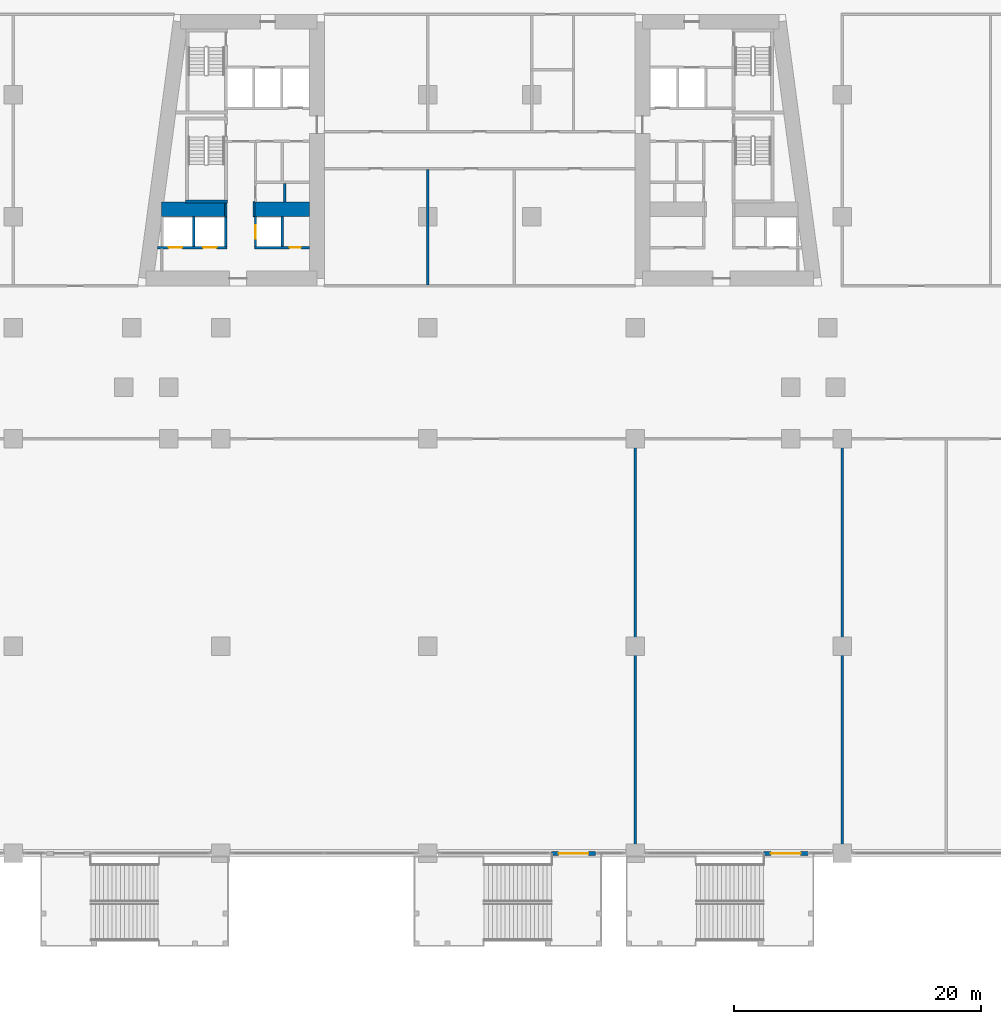
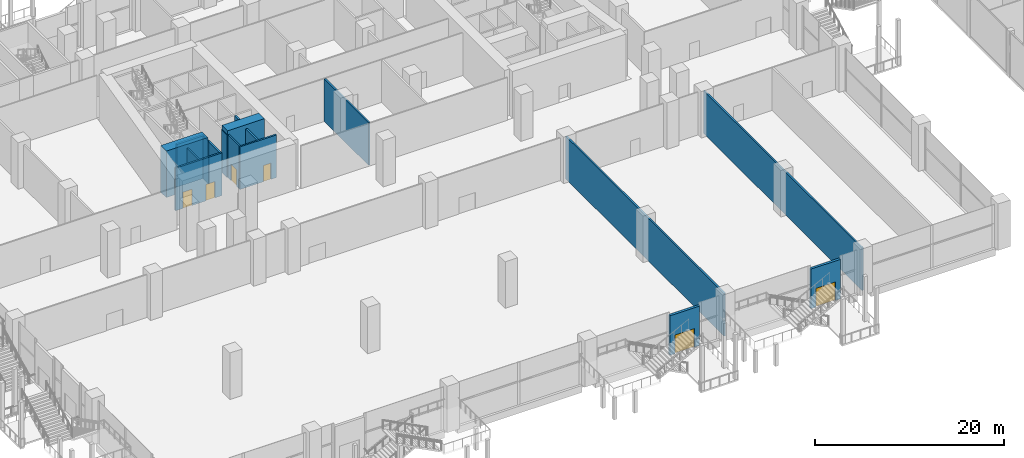
# One storey, part 23 of 49: 17 walls, 6 doors, 6 openings.
"""IFC4 building model written with IfcOpenShell, lengths in metres."""

from ifc_helpers import new_model, si_unit, direction, frame, frame_2d, origin, place, context, subcontext, project, spatial, rectangle, extrude, material, layer, layer_set, type_object, element, fill, save


model = new_model("IFC4")

# Units and contexts
model_context = context("Model", 3, precision=1e-05, world=origin(), true_north=direction((0.0, 1.0)))
body_context = subcontext(model_context, "Body", "Model", "MODEL_VIEW")
ifc_project = project(units=[si_unit("LENGTHUNIT", "METRE"), si_unit("AREAUNIT", "SQUARE_METRE"), si_unit("VOLUMEUNIT", "CUBIC_METRE"), si_unit("PLANEANGLEUNIT", "RADIAN"), si_unit("MASSUNIT", "GRAM", prefix="KILO")], contexts=[model_context])

# Site, building, storey
site_placement = place(None, origin())
site = spatial("IfcSite", under=ifc_project, at=site_placement, CompositionType="ELEMENT")
building_placement = place(site_placement, origin())
building = spatial("IfcBuilding", under=site, at=building_placement, Name="Candeia Pilgrim Tower and Theatre", CompositionType="ELEMENT")
storey_placement = place(building_placement, frame((0.0, 0.0, 17.0)))
storey = spatial("IfcBuildingStorey", under=building, at=storey_placement, Name="L02", CompositionType="ELEMENT", Elevation=17.0)

# Walls
ifc_material_1 = material(Name="Concrete C80/95", Category="concrete")
ifc_layer_1 = layer(ifc_material_1, 1.199951171875)
ifc_layer_set_1 = layer_set([ifc_layer_1], Name="Core wall 1200 C80/95")
wall_type_1 = type_object("IfcWallType", Name="Core wall 1200 C80/95", PredefinedType="SHEAR", material=ifc_layer_set_1)
wall_1_placement = place(storey_placement, frame((87.623046875, 116.60009765625, 0.0), z_axis=(0.0, 0.0, 1.0), x_axis=(1.0, 0.0, 0.0)))
element("IfcWall", 1, at=wall_1_placement, inside=storey, type_object=wall_type_1, Name="Core wall W5", PredefinedType="SHEAR", context=body_context, shape_type="SweptSolid", body=[
    extrude(rectangle(XDim=5.076904296875, YDim=1.199951171875, at=frame_2d((2.53857421875, 0.0))), origin(), (0.0, 0.0, 1.0), 6.0),
])
wall_2_placement = place(storey_placement, frame((95.10009765625, 116.60009765625, 0.0), z_axis=(0.0, 0.0, 1.0), x_axis=(1.0, 0.0, 0.0)))
element("IfcWall", 2, at=wall_2_placement, inside=storey, type_object=wall_type_1, Name="Core wall W6", PredefinedType="SHEAR", context=body_context, shape_type="SweptSolid", body=[
    extrude(rectangle(XDim=4.5, YDim=1.199951171875, at=frame_2d((2.25, 0.0))), origin(), (0.0, 0.0, 1.0), 6.0),
])

# Wall, opening, door
ifc_material_2 = material(Name="Ceramic block masonry", Category="masonry")
ifc_layer_2 = layer(ifc_material_2, 0.300048828125)
ifc_layer_set_2 = layer_set([ifc_layer_2], Name="EW2 entrance infill wall 300")
wall_type_2 = type_object("IfcWallType", Name="EW2 entrance infill wall 300", PredefinedType="SOLIDWALL", material=ifc_layer_set_2)
wall_3_placement = place(storey_placement, frame((140.0, 64.39990234375, 0.0), z_axis=(0.0, 0.0, 1.0), x_axis=(-1.0, 0.0, 0.0)))
wall_3 = element("IfcWall", 3, at=wall_3_placement, inside=storey, type_object=wall_type_2, Name="Entrance wall L02", PredefinedType="SOLIDWALL", context=body_context, shape_type="SweptSolid", body=[
    extrude(rectangle(XDim=3.60009765625, YDim=0.300048828125, at=frame_2d((1.800048828125, 0.0))), origin(), (0.0, 0.0, 1.0), 5.10009765625),
])
opening_1_placement = place(wall_3_placement, frame((0.60009765625, 0.0, 0.0)))
opening_1 = element("IfcOpeningElement", 4, at=opening_1_placement, cuts=wall_3, Name="Opening L02-ED056", PredefinedType="OPENING", context=body_context, shape_type="SweptSolid", body=[
    extrude(rectangle(XDim=2.39990234375, YDim=2.39990234375, at=frame_2d((1.199951171875, 1.199951171875))), frame((0.0, 0.16015625, 0.0), z_axis=(0.0, -1.0, 0.0), x_axis=(1.0, 0.0, 0.0)), (0.0, 0.0, 1.0), 0.320068359375),
])
ifc_material_3 = material(Name="Aluminium framed glazed door", Category="aluminium")
door_type_1 = type_object("IfcDoorType", Name="ED entrance double door 2400x2400", OperationType="DOUBLE_DOOR_DOUBLE_SWING", PredefinedType="DOOR", material=ifc_material_3)
door_1_placement = place(opening_1_placement, origin())
door_1 = element("IfcDoor", 5, at=door_1_placement, inside=storey, type_object=door_type_1, Name="Entrance door L02-ED056", OperationType="DOUBLE_DOOR_DOUBLE_SWING", OverallHeight=2.39990234375, OverallWidth=2.39990234375, PredefinedType="DOOR", context=body_context, shape_type="SweptSolid", body=[
    extrude(rectangle(XDim=2.39990234375, YDim=2.39990234375, at=frame_2d((1.199951171875, 1.199951171875))), frame((0.0, 0.02490234375, 0.0), z_axis=(0.0, -1.0, 0.0), x_axis=(1.0, 0.0, 0.0)), (0.0, 0.0, 1.0), 0.050048828125),
])
fill(opening_1, door_1)

wall_4_placement = place(storey_placement, frame((122.800048828125, 64.39990234375, 0.0), z_axis=(0.0, 0.0, 1.0), x_axis=(-1.0, 0.0, 0.0)))
wall_4 = element("IfcWall", 6, at=wall_4_placement, inside=storey, type_object=wall_type_2, Name="Entrance wall L02", PredefinedType="SOLIDWALL", context=body_context, shape_type="SweptSolid", body=[
    extrude(rectangle(XDim=3.60009765625, YDim=0.300048828125, at=frame_2d((1.800048828125, 0.0))), origin(), (0.0, 0.0, 1.0), 5.10009765625),
])
opening_2_placement = place(wall_4_placement, frame((0.60009765625, 0.0, 0.0)))
opening_2 = element("IfcOpeningElement", 7, at=opening_2_placement, cuts=wall_4, Name="Opening L02-ED057", PredefinedType="OPENING", context=body_context, shape_type="SweptSolid", body=[
    extrude(rectangle(XDim=2.39990234375, YDim=2.39990234375, at=frame_2d((1.199951171875, 1.199951171875))), frame((0.0, 0.16015625, 0.0), z_axis=(0.0, -1.0, 0.0), x_axis=(1.0, 0.0, 0.0)), (0.0, 0.0, 1.0), 0.320068359375),
])
door_2_placement = place(opening_2_placement, origin())
door_2 = element("IfcDoor", 8, at=door_2_placement, inside=storey, type_object=door_type_1, Name="Entrance door L02-ED057", OperationType="DOUBLE_DOOR_DOUBLE_SWING", OverallHeight=2.39990234375, OverallWidth=2.39990234375, PredefinedType="DOOR", context=body_context, shape_type="SweptSolid", body=[
    extrude(rectangle(XDim=2.39990234375, YDim=2.39990234375, at=frame_2d((1.199951171875, 1.199951171875))), frame((0.0, 0.02490234375, 0.0), z_axis=(0.0, -1.0, 0.0), x_axis=(1.0, 0.0, 0.0)), (0.0, 0.0, 1.0), 0.050048828125),
])
fill(opening_2, door_2)

# Walls
ifc_material_4 = material(Name="Gypsum board partition on steel studs", Category="steel")
ifc_layer_3 = layer(ifc_material_4, 0.14990234375)
ifc_layer_set_3 = layer_set([ifc_layer_3], Name="PW-150 lobby wall")
wall_type_3 = type_object("IfcWallType", Name="PW-150 lobby wall", PredefinedType="PARTITIONING", material=ifc_layer_set_3)
wall_5_placement = place(storey_placement, frame((92.826904296875, 116.0, 0.0), z_axis=(0.0, 0.0, 1.0), x_axis=(0.0, 1.0, 0.0)))
element("IfcWall", 9, at=wall_5_placement, inside=storey, type_object=wall_type_3, Name="Lobby wall L02-056", PredefinedType="PARTITIONING", context=body_context, shape_type="SweptSolid", body=[
    extrude(rectangle(XDim=1.074951171875, YDim=0.14990234375, at=frame_2d((0.53759765625, 0.0))), origin(), (0.0, 0.0, 1.0), 5.5),
])
wall_6_placement = place(storey_placement, frame((95.10009765625, 116.0, 0.0), z_axis=(0.0, 0.0, 1.0), x_axis=(0.0, 1.0, 0.0)))
element("IfcWall", 10, at=wall_6_placement, inside=storey, type_object=wall_type_3, Name="Lobby wall L02-061", PredefinedType="PARTITIONING", context=body_context, shape_type="SweptSolid", body=[
    extrude(rectangle(XDim=1.199951171875, YDim=0.14990234375, at=frame_2d((0.60009765625, 0.0))), origin(), (0.0, 0.0, 1.0), 5.5),
])
ifc_layer_4 = layer(ifc_material_4, 0.199951171875)
ifc_layer_set_4 = layer_set([ifc_layer_4], Name="PW-200 party wall")
wall_type_4 = type_object("IfcWallType", Name="PW-200 party wall", PredefinedType="PARTITIONING", material=ifc_layer_set_4)
wall_7_placement = place(storey_placement, frame((109.199951171875, 110.47509765625, 0.0), z_axis=(0.0, 0.0, 1.0), x_axis=(0.0, 1.0, 0.0)))
element("IfcWall", 11, at=wall_7_placement, inside=storey, type_object=wall_type_4, Name="Party wall L02-069", PredefinedType="PARTITIONING", context=body_context, shape_type="SweptSolid", body=[
    extrude(rectangle(XDim=9.349853515625, YDim=0.199951171875, at=frame_2d((4.6748046875, 0.0))), origin(), (0.0, 0.0, 1.0), 5.5),
])
for number, where, z_axis, x_axis, name in (
    (12, (126.0, 64.449951171875, 0.0), (0.0, 0.0, 1.0), (0.0, 1.0, 0.0), "Party wall L02-075"),
    (13, (142.800048828125, 64.449951171875, 0.0), (0.0, 0.0, 1.0), (0.0, 1.0, 0.0), "Party wall L02-093"),
):
    element("IfcWall", number, at=place(storey_placement, frame(where, z_axis=z_axis, x_axis=x_axis)), inside=storey, type_object=wall_type_4, Name=name, PredefinedType="PARTITIONING", context=body_context, shape_type="SweptSolid", body=[
        extrude(rectangle(XDim=33.47509765625, YDim=0.199951171875, at=frame_2d((16.737548828125, 0.0))), origin(), (0.0, 0.0, 1.0), 5.5),
    ])

# Wall, openings, doors
ifc_material_5 = material(Name="Concrete C40/50", Category="concrete")
ifc_layer_5 = layer(ifc_material_5, 0.199951171875)
ifc_layer_set_5 = layer_set([ifc_layer_5], Name="SW-200 shaft wall")
wall_type_5 = type_object("IfcWallType", Name="SW-200 shaft wall", PredefinedType="PARTITIONING", material=ifc_layer_set_5)
wall_8_placement = place(storey_placement, frame((87.267333984375, 113.5, 0.0), z_axis=(0.0, 0.0, 1.0), x_axis=(1.0, 0.0, 0.0)))
wall_8 = element("IfcWall", 14, at=wall_8_placement, inside=storey, type_object=wall_type_5, Name="Shaft wall L02-005", PredefinedType="PARTITIONING", context=body_context, shape_type="SweptSolid", body=[
    extrude(rectangle(XDim=5.65966796875, YDim=0.199951171875, at=frame_2d((2.829833984375, 0.0))), origin(), (0.0, 0.0, 1.0), 5.5),
])
opening_3_placement = place(wall_8_placement, frame((0.91357421875, 0.0, 0.0)))
opening_3 = element("IfcOpeningElement", 15, at=opening_3_placement, cuts=wall_8, Name="Opening L02-LD03", PredefinedType="OPENING", context=body_context, shape_type="SweptSolid", body=[
    extrude(rectangle(XDim=1.10009765625, YDim=2.10009765625, at=frame_2d((0.550048828125, 1.050048828125))), frame((0.0, 0.10986328125, 0.0), z_axis=(0.0, -1.0, 0.0), x_axis=(1.0, 0.0, 0.0)), (0.0, 0.0, 1.0), 0.219970703125),
])
opening_4_placement = place(wall_8_placement, frame((3.710693359375, 0.0, 0.0)))
opening_4 = element("IfcOpeningElement", 16, at=opening_4_placement, cuts=wall_8, Name="Opening L02-LD04", PredefinedType="OPENING", context=body_context, shape_type="SweptSolid", body=[
    extrude(rectangle(XDim=1.10009765625, YDim=2.10009765625, at=frame_2d((0.550048828125, 1.050048828125))), frame((0.0, 0.10986328125, 0.0), z_axis=(0.0, -1.0, 0.0), x_axis=(1.0, 0.0, 0.0)), (0.0, 0.0, 1.0), 0.219970703125),
])
ifc_material_6 = material(Name="Glazed aluminium landing door", Category="aluminium")
door_type_2 = type_object("IfcDoorType", Name="LD-1100-EI120", OperationType="SLIDING_TO_LEFT", PredefinedType="DOOR", material=ifc_material_6)
door_3_placement = place(opening_3_placement, origin())
door_3 = element("IfcDoor", 17, at=door_3_placement, inside=storey, type_object=door_type_2, Name="Landing door 03 L02", OperationType="SLIDING_TO_LEFT", OverallHeight=2.10009765625, OverallWidth=1.10009765625, PredefinedType="DOOR", context=body_context, shape_type="SweptSolid", body=[
    extrude(rectangle(XDim=1.10009765625, YDim=2.10009765625, at=frame_2d((0.550048828125, 1.050048828125))), frame((0.0, 0.02490234375, 0.0), z_axis=(0.0, -1.0, 0.0), x_axis=(1.0, 0.0, 0.0)), (0.0, 0.0, 1.0), 0.050048828125),
])
fill(opening_3, door_3)
door_4_placement = place(opening_4_placement, origin())
door_4 = element("IfcDoor", 18, at=door_4_placement, inside=storey, type_object=door_type_2, Name="Landing door 04 L02", OperationType="SLIDING_TO_LEFT", OverallHeight=2.10009765625, OverallWidth=1.10009765625, PredefinedType="DOOR", context=body_context, shape_type="SweptSolid", body=[
    extrude(rectangle(XDim=1.10009765625, YDim=2.10009765625, at=frame_2d((0.550048828125, 1.050048828125))), frame((0.0, 0.02490234375, 0.0), z_axis=(0.0, -1.0, 0.0), x_axis=(1.0, 0.0, 0.0)), (0.0, 0.0, 1.0), 0.050048828125),
])
fill(opening_4, door_4)

# Wall, opening, door
wall_9_placement = place(storey_placement, frame((95.126953125, 113.5, 0.0), z_axis=(0.0, 0.0, 1.0), x_axis=(1.0, 0.0, 0.0)))
wall_9 = element("IfcWall", 19, at=wall_9_placement, inside=storey, type_object=wall_type_5, Name="Shaft wall L02-006", PredefinedType="PARTITIONING", context=body_context, shape_type="SweptSolid", body=[
    extrude(rectangle(XDim=4.47314453125, YDim=0.199951171875, at=frame_2d((2.236572265625, 0.0))), origin(), (0.0, 0.0, 1.0), 5.5),
])
opening_5_placement = place(wall_9_placement, frame((2.87109375, 0.0, 0.0)))
opening_5 = element("IfcOpeningElement", 20, at=opening_5_placement, cuts=wall_9, Name="Opening L02-D036", PredefinedType="OPENING", context=body_context, shape_type="SweptSolid", body=[
    extrude(rectangle(XDim=0.89990234375, YDim=2.10009765625, at=frame_2d((0.449951171875, 1.050048828125))), frame((0.0, 0.10986328125, 0.0), z_axis=(0.0, -1.0, 0.0), x_axis=(1.0, 0.0, 0.0)), (0.0, 0.0, 1.0), 0.219970703125),
])
ifc_material_7 = material(Name="Steel fire door set", Category="steel")
door_type_3 = type_object("IfcDoorType", Name="D-900-FD60", OperationType="NOTDEFINED", PredefinedType="DOOR", material=ifc_material_7)
door_5_placement = place(opening_5_placement, origin())
door_5 = element("IfcDoor", 21, at=door_5_placement, inside=storey, type_object=door_type_3, Name="Door L02-D036", OperationType="SINGLE_SWING_LEFT", OverallHeight=2.10009765625, OverallWidth=0.89990234375, PredefinedType="DOOR", context=body_context, shape_type="SweptSolid", body=[
    extrude(rectangle(XDim=0.89990234375, YDim=2.10009765625, at=frame_2d((0.449951171875, 1.050048828125))), frame((0.0, 0.02490234375, 0.0), z_axis=(0.0, -1.0, 0.0), x_axis=(1.0, 0.0, 0.0)), (0.0, 0.0, 1.0), 0.050048828125),
])
fill(opening_5, door_5)

# Walls
for number, where, z_axis, x_axis, name in (
    (22, (90.22900390625, 113.60009765625, 0.0), (0.0, 0.0, 1.0), (0.0, 1.0, 0.0), "Shaft wall L02-054"),
    (23, (92.826904296875, 113.60009765625, 0.0), (0.0, 0.0, 1.0), (0.0, 1.0, 0.0), "Shaft wall L02-055"),
):
    element("IfcWall", number, at=place(storey_placement, frame(where, z_axis=z_axis, x_axis=x_axis)), inside=storey, type_object=wall_type_5, Name=name, PredefinedType="PARTITIONING", context=body_context, shape_type="SweptSolid", body=[
        extrude(rectangle(XDim=2.39990234375, YDim=0.199951171875, at=frame_2d((1.199951171875, 0.0))), origin(), (0.0, 0.0, 1.0), 5.5),
    ])

# Wall, opening, door
wall_10_placement = place(storey_placement, frame((95.22705078125, 113.60009765625, 0.0), z_axis=(0.0, 0.0, 1.0), x_axis=(0.0, 1.0, 0.0)))
wall_10 = element("IfcWall", 24, at=wall_10_placement, inside=storey, type_object=wall_type_5, Name="Shaft wall L02-062", PredefinedType="PARTITIONING", context=body_context, shape_type="SweptSolid", body=[
    extrude(rectangle(XDim=2.39990234375, YDim=0.199951171875, at=frame_2d((1.199951171875, 0.0))), origin(), (0.0, 0.0, 1.0), 5.5),
])
opening_6_placement = place(wall_10_placement, frame((0.60009765625, 0.0, 0.0)))
opening_6 = element("IfcOpeningElement", 25, at=opening_6_placement, cuts=wall_10, Name="Opening L02-LD05", PredefinedType="OPENING", context=body_context, shape_type="SweptSolid", body=[
    extrude(rectangle(XDim=1.10009765625, YDim=2.10009765625, at=frame_2d((0.550048828125, 1.050048828125))), frame((0.0, 0.10986328125, 0.0), z_axis=(0.0, -1.0, 0.0), x_axis=(1.0, 0.0, 0.0)), (0.0, 0.0, 1.0), 0.219970703125),
])
door_6_placement = place(opening_6_placement, origin())
door_6 = element("IfcDoor", 26, at=door_6_placement, inside=storey, type_object=door_type_2, Name="Landing door 05 L02", OperationType="SLIDING_TO_LEFT", OverallHeight=2.10009765625, OverallWidth=1.10009765625, PredefinedType="DOOR", context=body_context, shape_type="SweptSolid", body=[
    extrude(rectangle(XDim=1.10009765625, YDim=2.10009765625, at=frame_2d((0.550048828125, 1.050048828125))), frame((0.0, 0.02490234375, 0.0), z_axis=(0.0, -1.0, 0.0), x_axis=(1.0, 0.0, 0.0)), (0.0, 0.0, 1.0), 0.050048828125),
])
fill(opening_6, door_6)

# Walls
wall_11_placement = place(storey_placement, frame((97.41357421875, 113.60009765625, 0.0), z_axis=(0.0, 0.0, 1.0), x_axis=(0.0, 1.0, 0.0)))
element("IfcWall", 27, at=wall_11_placement, inside=storey, type_object=wall_type_5, Name="Shaft wall L02-065", PredefinedType="PARTITIONING", context=body_context, shape_type="SweptSolid", body=[
    extrude(rectangle(XDim=2.39990234375, YDim=0.199951171875, at=frame_2d((1.199951171875, 0.0))), origin(), (0.0, 0.0, 1.0), 5.5),
])
wall_12_placement = place(storey_placement, frame((97.60009765625, 117.199951171875, 0.0), z_axis=(0.0, 0.0, 1.0), x_axis=(0.0, 1.0, 0.0)))
element("IfcWall", 28, at=wall_12_placement, inside=storey, type_object=wall_type_5, Name="Shaft wall L02-067", PredefinedType="PARTITIONING", context=body_context, shape_type="SweptSolid", body=[
    extrude(rectangle(XDim=1.5, YDim=0.199951171875, at=frame_2d((0.75, 0.0))), origin(), (0.0, 0.0, 1.0), 5.5),
])
ifc_layer_6 = layer(ifc_material_5, 0.25)
ifc_layer_set_6 = layer_set([ifc_layer_6], Name="SW-250 stair wall")
wall_type_6 = type_object("IfcWallType", Name="SW-250 stair wall", PredefinedType="PARTITIONING", material=ifc_layer_set_6)
wall_13_placement = place(storey_placement, frame((89.552001953125, 117.2451171875, 0.0), z_axis=(0.0, 0.0, 1.0), x_axis=(1.0, 0.0, 0.0)))
element("IfcWall", 29, at=wall_13_placement, inside=storey, type_object=wall_type_6, Name="Stair wall L02-009", PredefinedType="PARTITIONING", context=body_context, shape_type="SweptSolid", body=[
    extrude(rectangle(XDim=3.39990234375, YDim=0.25, at=frame_2d((1.699951171875, 0.0))), origin(), (0.0, 0.0, 1.0), 5.5),
])

save(model, "model.ifc")
